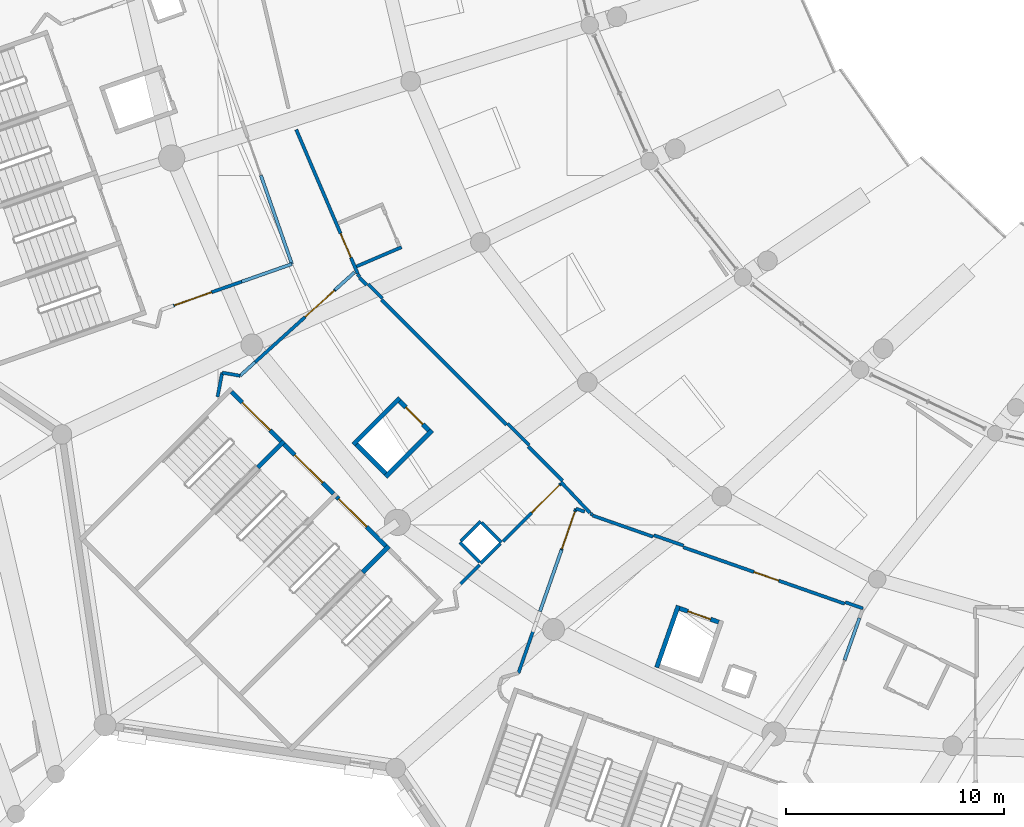
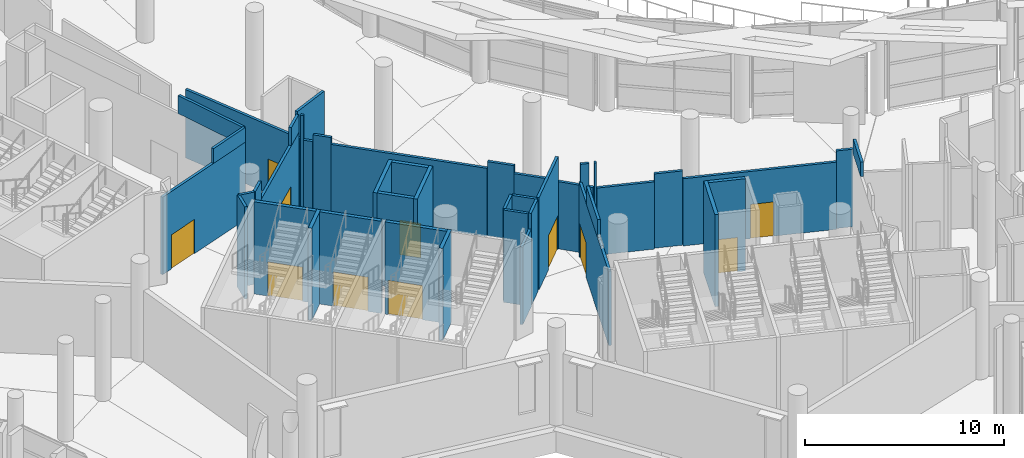
# One storey, part 139 of 249: 43 walls, 11 doors, 11 openings.
"""IFC4 building model written with IfcOpenShell, lengths in metres."""

from ifc_helpers import new_model, si_unit, direction, frame, frame_2d, origin, place, context, subcontext, project, spatial, rectangle, extrude, material, layer, layer_set, type_object, element, fill, save


model = new_model("IFC4")

# Units and contexts
model_context = context("Model", 3, precision=1e-05, world=origin(), true_north=direction((0.0, 1.0)))
body_context = subcontext(model_context, "Body", "Model", "MODEL_VIEW")
ifc_project = project(units=[si_unit("LENGTHUNIT", "METRE"), si_unit("AREAUNIT", "SQUARE_METRE"), si_unit("VOLUMEUNIT", "CUBIC_METRE"), si_unit("PLANEANGLEUNIT", "RADIAN"), si_unit("MASSUNIT", "GRAM", prefix="KILO")], contexts=[model_context])

# Site, building, storey
site_placement = place(None, origin())
site = spatial("IfcSite", under=ifc_project, at=site_placement, CompositionType="ELEMENT")
building_placement = place(site_placement, origin())
building = spatial("IfcBuilding", under=site, at=building_placement, Name="Meseta Stadium", CompositionType="ELEMENT")
storey_placement = place(building_placement, frame((0.0, 0.0, 12.0)))
storey = spatial("IfcBuildingStorey", under=building, at=storey_placement, Name="L02", CompositionType="ELEMENT", Elevation=12.0)

# Walls
ifc_material_1 = material(Name="Concrete C40/50", Category="concrete")
ifc_layer_1 = layer(ifc_material_1, 0.199951171875)
ifc_layer_set_1 = layer_set([ifc_layer_1], Name="Core divider wall 200")
wall_type_1 = type_object("IfcWallType", Name="Core divider wall 200", PredefinedType="SHEAR", material=ifc_layer_set_1)
for number, where, z_axis, x_axis, name in (
    (1, (-78.17333984375, -77.364990234375, 0.0), (0.0, 0.0, 1.0), (0.707178586901, 0.707034968179, 0.0), "Core 21 L02 stair A divider wall"),
    (2, (-73.364990234375, -82.17333984375, 0.0), (0.0, 0.0, 1.0), (0.707034968179, 0.707178586901, 0.0), "Core 21 L02 stair B divider wall"),
):
    element("IfcWall", number, at=place(storey_placement, frame(where, z_axis=z_axis, x_axis=x_axis)), inside=storey, type_object=wall_type_1, Name=name, PredefinedType="SHEAR", context=body_context, shape_type="SweptSolid", body=[
        extrude(rectangle(XDim=1.699951171875, YDim=0.199951171875, at=frame_2d((0.85009765625, 0.0))), origin(), (0.0, 0.0, 1.0), 5.64990234375),
    ])

# Wall, opening, door
ifc_material_2 = material(Name="Concrete C40/50", Category="concrete")
ifc_layer_2 = layer(ifc_material_2, 0.199951171875)
ifc_layer_set_2 = layer_set([ifc_layer_2], Name="Core shaft wall 200")
wall_type_2 = type_object("IfcWallType", Name="Core shaft wall 200", PredefinedType="SHEAR", material=ifc_layer_set_2)
wall_1_placement = place(storey_placement, frame((-79.37548828125, -73.900146484375, 0.0), z_axis=(0.0, 0.0, 1.0), x_axis=(0.707068634461, -0.707144925854, 0.0)))
wall_1 = element("IfcWall", 3, at=wall_1_placement, inside=storey, type_object=wall_type_2, Name="Core 21 L02 stair A1 inner end wall", PredefinedType="SHEAR", context=body_context, shape_type="SweptSolid", body=[
    extrude(rectangle(XDim=3.2001953125, YDim=0.199951171875, at=frame_2d((1.60009765625, 0.0))), origin(), (0.0, 0.0, 1.0), 5.64990234375),
])
opening_1_placement = place(wall_1_placement, frame((0.699951171875, 0.0, 0.0)))
opening_1 = element("IfcOpeningElement", 4, at=opening_1_placement, cuts=wall_1, Name="Opening D1042", PredefinedType="OPENING", context=body_context, shape_type="SweptSolid", body=[
    extrude(rectangle(XDim=1.800048828125, YDim=2.10009765625, at=frame_2d((0.89990234375, 1.050048828125))), frame((0.0, 0.10986328125, 0.0), z_axis=(0.0, -1.0, 0.0), x_axis=(1.0, 0.0, 0.0)), (0.0, 0.0, 1.0), 0.219970703125),
])
ifc_material_3 = material(Name="Steel", Category="steel")
door_type_1 = type_object("IfcDoorType", Name="Stair door 1800x2100", OperationType="DOUBLE_DOOR_SINGLE_SWING", PredefinedType="DOOR", material=ifc_material_3)
door_1_placement = place(opening_1_placement, origin())
door_1 = element("IfcDoor", 5, at=door_1_placement, inside=storey, type_object=door_type_1, Name="Stair A1 door 21 L02", OperationType="DOUBLE_DOOR_SINGLE_SWING", OverallHeight=2.10009765625, OverallWidth=1.800048828125, PredefinedType="DOOR", context=body_context, shape_type="SweptSolid", body=[
    extrude(rectangle(XDim=1.800048828125, YDim=2.10009765625, at=frame_2d((0.89990234375, 1.050048828125))), frame((0.0, 0.02490234375, 0.0), z_axis=(0.0, -1.0, 0.0), x_axis=(1.0, 0.0, 0.0)), (0.0, 0.0, 1.0), 0.050048828125),
])
fill(opening_1, door_1)

wall_2_placement = place(storey_placement, frame((-76.97119140625, -76.304443359375, 0.0), z_axis=(0.0, 0.0, 1.0), x_axis=(0.707106781187, -0.707106781187, 0.0)))
wall_2 = element("IfcWall", 6, at=wall_2_placement, inside=storey, type_object=wall_type_2, Name="Core 21 L02 stair A2 inner end wall", PredefinedType="SHEAR", context=body_context, shape_type="SweptSolid", body=[
    extrude(rectangle(XDim=3.199951171875, YDim=0.199951171875, at=frame_2d((1.60009765625, 0.0))), origin(), (0.0, 0.0, 1.0), 5.64990234375),
])
opening_2_placement = place(wall_2_placement, frame((0.699951171875, 0.0, 0.0)))
opening_2 = element("IfcOpeningElement", 7, at=opening_2_placement, cuts=wall_2, Name="Opening D1050", PredefinedType="OPENING", context=body_context, shape_type="SweptSolid", body=[
    extrude(rectangle(XDim=1.800048828125, YDim=2.10009765625, at=frame_2d((0.89990234375, 1.050048828125))), frame((0.0, 0.10986328125, 0.0), z_axis=(0.0, -1.0, 0.0), x_axis=(1.0, 0.0, 0.0)), (0.0, 0.0, 1.0), 0.219970703125),
])
door_2_placement = place(opening_2_placement, origin())
door_2 = element("IfcDoor", 8, at=door_2_placement, inside=storey, type_object=door_type_1, Name="Stair A2 door 21 L02", OperationType="DOUBLE_DOOR_SINGLE_SWING", OverallHeight=2.10009765625, OverallWidth=1.800048828125, PredefinedType="DOOR", context=body_context, shape_type="SweptSolid", body=[
    extrude(rectangle(XDim=1.800048828125, YDim=2.10009765625, at=frame_2d((0.89990234375, 1.050048828125))), frame((0.0, 0.02490234375, 0.0), z_axis=(0.0, -1.0, 0.0), x_axis=(1.0, 0.0, 0.0)), (0.0, 0.0, 1.0), 0.050048828125),
])
fill(opening_2, door_2)

wall_3_placement = place(storey_placement, frame((-74.567138671875, -78.70849609375, 0.0), z_axis=(0.0, 0.0, 1.0), x_axis=(0.707106781187, -0.707106781187, 0.0)))
wall_3 = element("IfcWall", 9, at=wall_3_placement, inside=storey, type_object=wall_type_2, Name="Core 21 L02 stair B1 inner end wall", PredefinedType="SHEAR", context=body_context, shape_type="SweptSolid", body=[
    extrude(rectangle(XDim=3.199951171875, YDim=0.199951171875, at=frame_2d((1.60009765625, 0.0))), origin(), (0.0, 0.0, 1.0), 5.64990234375),
])
opening_3_placement = place(wall_3_placement, frame((0.14990234375, 0.0, 0.0)))
opening_3 = element("IfcOpeningElement", 10, at=opening_3_placement, cuts=wall_3, Name="Opening D1055", PredefinedType="OPENING", context=body_context, shape_type="SweptSolid", body=[
    extrude(rectangle(XDim=1.800048828125, YDim=2.10009765625, at=frame_2d((0.89990234375, 1.050048828125))), frame((0.0, 0.10986328125, 0.0), z_axis=(0.0, -1.0, 0.0), x_axis=(1.0, 0.0, 0.0)), (0.0, 0.0, 1.0), 0.219970703125),
])
door_3_placement = place(opening_3_placement, origin())
door_3 = element("IfcDoor", 11, at=door_3_placement, inside=storey, type_object=door_type_1, Name="Stair B1 door 21 L02", OperationType="DOUBLE_DOOR_SINGLE_SWING", OverallHeight=2.10009765625, OverallWidth=1.800048828125, PredefinedType="DOOR", context=body_context, shape_type="SweptSolid", body=[
    extrude(rectangle(XDim=1.800048828125, YDim=2.10009765625, at=frame_2d((0.89990234375, 1.050048828125))), frame((0.0, 0.02490234375, 0.0), z_axis=(0.0, -1.0, 0.0), x_axis=(1.0, 0.0, 0.0)), (0.0, 0.0, 1.0), 0.050048828125),
])
fill(opening_3, door_3)

# Walls
for number, where, z_axis, x_axis, name in (
    (12, (-73.796875, -76.311767578125, 0.0), (0.0, 0.0, 1.0), (0.707106781187, 0.707106781187, 0.0), "Core 21 L02 lift shaft wall left"),
    (13, (-72.311767578125, -77.796875, 0.0), (0.0, 0.0, 1.0), (0.707106781187, 0.707106781187, 0.0), "Core 21 L02 lift shaft wall right"),
):
    element("IfcWall", number, at=place(storey_placement, frame(where, z_axis=z_axis, x_axis=x_axis)), inside=storey, type_object=wall_type_2, Name=name, PredefinedType="SHEAR", context=body_context, shape_type="SweptSolid", body=[
        extrude(rectangle(XDim=3.0, YDim=0.199951171875, at=frame_2d((1.5, 0.0))), origin(), (0.0, 0.0, 1.0), 5.64990234375),
    ])
wall_4_placement = place(storey_placement, frame((-73.655517578125, -76.311767578125, 0.0), z_axis=(0.0, 0.0, 1.0), x_axis=(0.707106781187, -0.707106781187, 0.0)))
element("IfcWall", 14, at=wall_4_placement, inside=storey, type_object=wall_type_2, Name="Core 21 L02 lift shaft back wall", PredefinedType="SHEAR", context=body_context, shape_type="SweptSolid", body=[
    extrude(rectangle(XDim=1.900390625, YDim=0.199951171875, at=frame_2d((0.9501953125, 0.0))), origin(), (0.0, 0.0, 1.0), 5.64990234375),
])

# Wall, opening, door
wall_5_placement = place(storey_placement, frame((-71.675537109375, -74.331787109375, 0.0), z_axis=(0.0, 0.0, 1.0), x_axis=(0.707106781187, -0.707106781187, 0.0)))
wall_5 = element("IfcWall", 15, at=wall_5_placement, inside=storey, type_object=wall_type_2, Name="Core 21 L02 lift shaft front wall", PredefinedType="SHEAR", context=body_context, shape_type="SweptSolid", body=[
    extrude(rectangle(XDim=1.900390625, YDim=0.199951171875, at=frame_2d((0.9501953125, 0.0))), origin(), (0.0, 0.0, 1.0), 5.64990234375),
])
opening_4_placement = place(wall_5_placement, frame((0.39990234375, 0.0, 0.0)))
opening_4 = element("IfcOpeningElement", 16, at=opening_4_placement, cuts=wall_5, Name="Opening LD118", PredefinedType="OPENING", context=body_context, shape_type="SweptSolid", body=[
    extrude(rectangle(XDim=1.10009765625, YDim=2.10009765625, at=frame_2d((0.550048828125, 1.050048828125))), frame((0.0, 0.10986328125, 0.0), z_axis=(0.0, -1.0, 0.0), x_axis=(1.0, 0.0, 0.0)), (0.0, 0.0, 1.0), 0.219970703125),
])
ifc_material_4 = material(Name="Steel", Category="steel")
door_type_2 = type_object("IfcDoorType", Name="Lift landing door 1100x2100", OperationType="SLIDING_TO_LEFT", PredefinedType="DOOR", material=ifc_material_4)
door_4_placement = place(opening_4_placement, origin())
door_4 = element("IfcDoor", 17, at=door_4_placement, inside=storey, type_object=door_type_2, Name="Lift landing door LD118", OperationType="SLIDING_TO_RIGHT", OverallHeight=2.10009765625, OverallWidth=1.10009765625, PredefinedType="DOOR", context=body_context, shape_type="SweptSolid", body=[
    extrude(rectangle(XDim=1.10009765625, YDim=2.10009765625, at=frame_2d((0.550048828125, 1.050048828125))), frame((0.0, 0.02490234375, 0.0), z_axis=(0.0, -1.0, 0.0), x_axis=(1.0, 0.0, 0.0)), (0.0, 0.0, 1.0), 0.050048828125),
])
fill(opening_4, door_4)

# Wall
wall_6_placement = place(storey_placement, frame((-59.896240234375, -86.53369140625, 0.0), z_axis=(0.0, 0.0, 1.0), x_axis=(0.330328674497, 0.943865968666, 0.0)))
element("IfcWall", 18, at=wall_6_placement, inside=storey, type_object=wall_type_2, Name="Core 22 L02 lift shaft wall left", PredefinedType="SHEAR", context=body_context, shape_type="SweptSolid", body=[
    extrude(rectangle(XDim=3.0, YDim=0.199951171875, at=frame_2d((1.5, 0.0))), origin(), (0.0, 0.0, 1.0), 5.64990234375),
])

# Wall, opening, door
wall_7_placement = place(storey_placement, frame((-58.843994140625, -83.82958984375, 0.0), z_axis=(0.0, 0.0, 1.0), x_axis=(0.943902418729, -0.330224505327, 0.0)))
wall_7 = element("IfcWall", 19, at=wall_7_placement, inside=storey, type_object=wall_type_2, Name="Core 22 L02 lift shaft front wall", PredefinedType="SHEAR", context=body_context, shape_type="SweptSolid", body=[
    extrude(rectangle(XDim=1.900146484375, YDim=0.199951171875, at=frame_2d((0.9501953125, 0.0))), origin(), (0.0, 0.0, 1.0), 5.64990234375),
])
opening_5_placement = place(wall_7_placement, frame((0.39990234375, 0.0, 0.0)))
opening_5 = element("IfcOpeningElement", 20, at=opening_5_placement, cuts=wall_7, Name="Opening LD123", PredefinedType="OPENING", context=body_context, shape_type="SweptSolid", body=[
    extrude(rectangle(XDim=1.10009765625, YDim=2.10009765625, at=frame_2d((0.550048828125, 1.050048828125))), frame((0.0, 0.10986328125, 0.0), z_axis=(0.0, -1.0, 0.0), x_axis=(1.0, 0.0, 0.0)), (0.0, 0.0, 1.0), 0.219970703125),
])
door_5_placement = place(opening_5_placement, origin())
door_5 = element("IfcDoor", 21, at=door_5_placement, inside=storey, type_object=door_type_2, Name="Lift landing door LD123", OperationType="SLIDING_TO_LEFT", OverallHeight=2.10009765625, OverallWidth=1.10009765625, PredefinedType="DOOR", context=body_context, shape_type="SweptSolid", body=[
    extrude(rectangle(XDim=1.10009765625, YDim=2.10009765625, at=frame_2d((0.550048828125, 1.050048828125))), frame((0.0, 0.02490234375, 0.0), z_axis=(0.0, -1.0, 0.0), x_axis=(1.0, 0.0, 0.0)), (0.0, 0.0, 1.0), 0.050048828125),
])
fill(opening_5, door_5)

# Walls
ifc_material_5 = material(Name="Masonry blockwork", Category="masonry")
ifc_layer_3 = layer(ifc_material_5, 0.14990234375)
ifc_layer_set_3 = layer_set([ifc_layer_3], Name="Partition 150")
wall_type_3 = type_object("IfcWallType", Name="Partition 150", PredefinedType="PARTITIONING", material=ifc_layer_set_3)
wall_8_placement = place(storey_placement, frame((-66.77880859375, -75.410400390625, 0.0), z_axis=(0.0, 0.0, 1.0), x_axis=(-0.707091708943, 0.707121853109, 0.0)))
element("IfcWall", 22, at=wall_8_placement, inside=storey, type_object=wall_type_3, Name="Partition L02 L02-cell19-0-0", PredefinedType="PARTITIONING", context=body_context, shape_type="SweptSolid", body=[
    extrude(rectangle(XDim=8.09912109375, YDim=0.14990234375, at=frame_2d((4.049560546875, 0.0))), origin(), (0.0, 0.0, 1.0), 4.18701171875),
])
wall_9_placement = place(storey_placement, frame((-73.179443359375, -69.009521484375, 0.0), z_axis=(0.0, 0.0, 1.0), x_axis=(-0.707106781187, 0.707106781187, 0.0)))
element("IfcWall", 23, at=wall_9_placement, inside=storey, type_object=wall_type_3, Name="Partition L02 L02-cell19-0-0", PredefinedType="PARTITIONING", context=body_context, shape_type="SweptSolid", body=[
    extrude(rectangle(XDim=0.4765625, YDim=0.14990234375, at=frame_2d((0.23828125, 0.0))), origin(), (0.0, 0.0, 1.0), 4.18701171875),
])

# Wall, opening, door
wall_10_placement = place(storey_placement, frame((-73.595458984375, -68.487548828125, 0.0), z_axis=(0.0, 0.0, 1.0), x_axis=(-0.392716080943, 0.919659763047, 0.0)))
wall_10 = element("IfcWall", 24, at=wall_10_placement, inside=storey, type_object=wall_type_3, Name="Partition L02 L02-cell19-0-0", PredefinedType="PARTITIONING", context=body_context, shape_type="SweptSolid", body=[
    extrude(rectangle(XDim=7.17724609375, YDim=0.14990234375, at=frame_2d((3.588623046875, 0.0))), origin(), (0.0, 0.0, 1.0), 4.18701171875),
])
opening_6_placement = place(wall_10_placement, frame((0.800048828125, 0.0, 0.0)))
opening_6 = element("IfcOpeningElement", 25, at=opening_6_placement, cuts=wall_10, Name="Opening D1054", PredefinedType="OPENING", context=body_context, shape_type="SweptSolid", body=[
    extrude(rectangle(XDim=1.199951171875, YDim=2.10009765625, at=frame_2d((0.60009765625, 1.050048828125))), frame((0.0, 0.0849609375, 0.0), z_axis=(0.0, -1.0, 0.0), x_axis=(1.0, 0.0, 0.0)), (0.0, 0.0, 1.0), 0.169921875),
])
ifc_material_6 = material(Name="Steel", Category="steel")
door_type_3 = type_object("IfcDoorType", Name="Fire door 1200x2100 EI2 60", OperationType="NOTDEFINED", PredefinedType="DOOR", material=ifc_material_6)
door_6_placement = place(opening_6_placement, origin())
door_6 = element("IfcDoor", 26, at=door_6_placement, inside=storey, type_object=door_type_3, Name="Room door L02 L02-cell19-0-0", OperationType="SINGLE_SWING_LEFT", OverallHeight=2.10009765625, OverallWidth=1.199951171875, PredefinedType="DOOR", context=body_context, shape_type="SweptSolid", body=[
    extrude(rectangle(XDim=1.199951171875, YDim=2.10009765625, at=frame_2d((0.60009765625, 1.050048828125))), frame((0.0, 0.02490234375, 0.0), z_axis=(0.0, -1.0, 0.0), x_axis=(1.0, 0.0, 0.0)), (0.0, 0.0, 1.0), 0.050048828125),
])
fill(opening_6, door_6)

wall_11_placement = place(storey_placement, frame((-51.2841796875, -83.614501953125, 0.0), z_axis=(0.0, 0.0, 1.0), x_axis=(-0.943878277554, 0.330293501543, 0.0)))
wall_11 = element("IfcWall", 27, at=wall_11_placement, inside=storey, type_object=wall_type_3, Name="Partition L02 L02-cell20-0-0", PredefinedType="PARTITIONING", context=body_context, shape_type="SweptSolid", body=[
    extrude(rectangle(XDim=7.8330078125, YDim=0.14990234375, at=frame_2d((3.91650390625, 0.0))), origin(), (0.0, 0.0, 1.0), 4.118408203125),
])
opening_7_placement = place(wall_11_placement, frame((3.199951171875, 0.0, 0.0)))
opening_7 = element("IfcOpeningElement", 28, at=opening_7_placement, cuts=wall_11, Name="Opening D1078", PredefinedType="OPENING", context=body_context, shape_type="SweptSolid", body=[
    extrude(rectangle(XDim=1.199951171875, YDim=2.10009765625, at=frame_2d((0.60009765625, 1.050048828125))), frame((0.0, 0.0849609375, 0.0), z_axis=(0.0, -1.0, 0.0), x_axis=(1.0, 0.0, 0.0)), (0.0, 0.0, 1.0), 0.169921875),
])
door_7_placement = place(opening_7_placement, origin())
door_7 = element("IfcDoor", 29, at=door_7_placement, inside=storey, type_object=door_type_3, Name="Room door L02 L02-cell20-0-0", OperationType="SINGLE_SWING_LEFT", OverallHeight=2.10009765625, OverallWidth=1.199951171875, PredefinedType="DOOR", context=body_context, shape_type="SweptSolid", body=[
    extrude(rectangle(XDim=1.199951171875, YDim=2.10009765625, at=frame_2d((0.60009765625, 1.050048828125))), frame((0.0, 0.02490234375, 0.0), z_axis=(0.0, -1.0, 0.0), x_axis=(1.0, 0.0, 0.0)), (0.0, 0.0, 1.0), 0.050048828125),
])
fill(opening_7, door_7)

# Walls
wall_12_placement = place(storey_placement, frame((-60.06396484375, -80.542236328125, 0.0), z_axis=(0.0, 0.0, 1.0), x_axis=(-0.943873905003, 0.330305996696, 0.0)))
element("IfcWall", 30, at=wall_12_placement, inside=storey, type_object=wall_type_3, Name="Partition L02 L02-cell20-0-0", PredefinedType="PARTITIONING", context=body_context, shape_type="SweptSolid", body=[
    extrude(rectangle(XDim=2.937255859375, YDim=0.14990234375, at=frame_2d((1.46875, 0.0))), origin(), (0.0, 0.0, 1.0), 4.118408203125),
])
wall_13_placement = place(storey_placement, frame((-62.948486328125, -79.453369140625, 0.0), z_axis=(0.0, 0.0, 1.0), x_axis=(-0.686461196607, 0.727166435937, 0.0)))
element("IfcWall", 31, at=wall_13_placement, inside=storey, type_object=wall_type_3, Name="Partition L02 L02-cell20-0-0", PredefinedType="PARTITIONING", context=body_context, shape_type="SweptSolid", body=[
    extrude(rectangle(XDim=1.943359375, YDim=0.14990234375, at=frame_2d((0.9716796875, 0.0))), origin(), (0.0, 0.0, 1.0), 4.118408203125),
])
wall_14_placement = place(storey_placement, frame((-64.215576171875, -77.973388671875, 0.0), z_axis=(0.0, 0.0, 1.0), x_axis=(-0.707161957089, 0.707051600978, 0.0)))
element("IfcWall", 32, at=wall_14_placement, inside=storey, type_object=wall_type_3, Name="Partition L02 L02-cell20-0-0", PredefinedType="PARTITIONING", context=body_context, shape_type="SweptSolid", body=[
    extrude(rectangle(XDim=2.21240234375, YDim=0.14990234375, at=frame_2d((1.106201171875, 0.0))), origin(), (0.0, 0.0, 1.0), 4.118408203125),
])

# Wall, opening, door
wall_15_placement = place(storey_placement, frame((-82.605224609375, -70.154052734375, 0.0), z_axis=(0.0, 0.0, 1.0), x_axis=(0.943452018302, 0.331509108716, 0.0)))
wall_15 = element("IfcWall", 33, at=wall_15_placement, inside=storey, type_object=wall_type_3, Name="Stair vestibule wall L02 core 20", PredefinedType="PARTITIONING", context=body_context, shape_type="SweptSolid", body=[
    extrude(rectangle(XDim=6.3525390625, YDim=0.14990234375, at=frame_2d((3.17626953125, 0.0))), origin(), (0.0, 0.0, 1.0), 4.75),
])
opening_8_placement = place(wall_15_placement, frame((0.64990234375, 0.0, 0.0)))
opening_8 = element("IfcOpeningElement", 34, at=opening_8_placement, cuts=wall_15, Name="Opening D1032", PredefinedType="OPENING", context=body_context, shape_type="SweptSolid", body=[
    extrude(rectangle(XDim=1.800048828125, YDim=2.10009765625, at=frame_2d((0.89990234375, 1.050048828125))), frame((0.0, 0.0849609375, 0.0), z_axis=(0.0, -1.0, 0.0), x_axis=(1.0, 0.0, 0.0)), (0.0, 0.0, 1.0), 0.169921875),
])
ifc_material_7 = material(Name="Steel", Category="steel")
door_type_4 = type_object("IfcDoorType", Name="Fire double door 1800x2100 EI2 60", OperationType="DOUBLE_DOOR_SINGLE_SWING", PredefinedType="DOOR", material=ifc_material_7)
door_8_placement = place(opening_8_placement, origin())
door_8 = element("IfcDoor", 35, at=door_8_placement, inside=storey, type_object=door_type_4, Name="Stair vestibule door L02 core 20", OperationType="DOUBLE_DOOR_SINGLE_SWING", OverallHeight=2.10009765625, OverallWidth=1.800048828125, PredefinedType="DOOR", context=body_context, shape_type="SweptSolid", body=[
    extrude(rectangle(XDim=1.800048828125, YDim=2.10009765625, at=frame_2d((0.89990234375, 1.050048828125))), frame((0.0, 0.02490234375, 0.0), z_axis=(0.0, -1.0, 0.0), x_axis=(1.0, 0.0, 0.0)), (0.0, 0.0, 1.0), 0.050048828125),
])
fill(opening_8, door_8)

# Walls
wall_16_placement = place(storey_placement, frame((-78.9169921875, -68.858154296875, 4.75), z_axis=(0.0, 0.0, 1.0), x_axis=(0.943443246904, 0.331534070454, 0.0)))
element("IfcWall", 36, at=wall_16_placement, inside=storey, type_object=wall_type_3, Name="Stair vestibule wall L02 core 20", PredefinedType="PARTITIONING", context=body_context, shape_type="SweptSolid", body=[
    extrude(rectangle(XDim=2.443359375, YDim=0.14990234375, at=frame_2d((1.2216796875, 0.0))), origin(), (0.0, 0.0, 1.0), 0.89990234375),
])
wall_17_placement = place(storey_placement, frame((-76.61181640625, -68.048095703125, 4.550048828125), z_axis=(0.0, 0.0, 1.0), x_axis=(-0.330279608941, 0.94388313891, 0.0)))
element("IfcWall", 37, at=wall_17_placement, inside=storey, type_object=wall_type_3, Name="Stair vestibule wall L02 core 20", PredefinedType="PARTITIONING", context=body_context, shape_type="SweptSolid", body=[
    extrude(rectangle(XDim=4.2998046875, YDim=0.14990234375, at=frame_2d((2.14990234375, 0.0))), origin(), (0.0, 0.0, 1.0), 1.099853515625),
])
for number, where, z_axis, x_axis, name in (
    (38, (-68.917724609375, -80.802001953125, 0.0), (0.0, 0.0, 1.0), (0.707106781187, -0.707106781187, 0.0), "Pressurisation shaft wall L02 core 21"),
    (39, (-67.963134765625, -81.756591796875, 0.0), (0.0, 0.0, 1.0), (0.707106781187, 0.707106781187, 0.0), "Pressurisation shaft wall L02 core 21"),
    (40, (-67.008544921875, -80.802001953125, 0.0), (0.0, 0.0, 1.0), (-0.707106781187, 0.707106781187, 0.0), "Pressurisation shaft wall L02 core 21"),
):
    element("IfcWall", number, at=place(storey_placement, frame(where, z_axis=z_axis, x_axis=x_axis)), inside=storey, type_object=wall_type_3, Name=name, PredefinedType="PARTITIONING", context=body_context, shape_type="SweptSolid", body=[
        extrude(rectangle(XDim=1.275146484375, YDim=0.14990234375, at=frame_2d((0.6376953125, 0.0))), origin(), (0.0, 0.0, 1.0), 5.64990234375),
    ])
wall_18_placement = place(storey_placement, frame((-67.963134765625, -79.847412109375, 0.0), z_axis=(0.0, 0.0, 1.0), x_axis=(-0.707202523759, -0.707011025648, 0.0)))
element("IfcWall", 41, at=wall_18_placement, inside=storey, type_object=wall_type_3, Name="Pressurisation shaft wall L02 core 21", PredefinedType="PARTITIONING", context=body_context, shape_type="SweptSolid", body=[
    extrude(rectangle(XDim=1.27490234375, YDim=0.14990234375, at=frame_2d((0.637451171875, 0.0))), origin(), (0.0, 0.0, 1.0), 5.64990234375),
])
wall_19_placement = place(storey_placement, frame((-69.16796875, -82.98974609375, 0.0), z_axis=(0.0, 0.0, 1.0), x_axis=(0.707106781187, 0.707106781187, 0.0)))
element("IfcWall", 42, at=wall_19_placement, inside=storey, type_object=wall_type_3, Name="Stair vestibule wall L02 core 21", PredefinedType="PARTITIONING", context=body_context, shape_type="SweptSolid", body=[
    extrude(rectangle(XDim=1.64306640625, YDim=0.14990234375, at=frame_2d((0.821533203125, 0.0))), origin(), (0.0, 0.0, 1.0), 4.75),
])

# Wall, opening, door
wall_20_placement = place(storey_placement, frame((-66.934326171875, -80.756103515625, 0.0), z_axis=(0.0, 0.0, 1.0), x_axis=(0.707073957383, 0.707139603466, 0.0)))
wall_20 = element("IfcWall", 43, at=wall_20_placement, inside=storey, type_object=wall_type_3, Name="Stair vestibule wall L02 core 21", PredefinedType="PARTITIONING", context=body_context, shape_type="SweptSolid", body=[
    extrude(rectangle(XDim=3.718994140625, YDim=0.14990234375, at=frame_2d((1.859375, 0.0))), origin(), (0.0, 0.0, 1.0), 5.64990234375),
])
opening_9_placement = place(wall_20_placement, frame((1.85009765625, 0.0, 0.0)))
opening_9 = element("IfcOpeningElement", 44, at=opening_9_placement, cuts=wall_20, Name="Opening D1065", PredefinedType="OPENING", context=body_context, shape_type="SweptSolid", body=[
    extrude(rectangle(XDim=1.800048828125, YDim=2.10009765625, at=frame_2d((0.89990234375, 1.050048828125))), frame((0.0, 0.0849609375, 0.0), z_axis=(0.0, -1.0, 0.0), x_axis=(1.0, 0.0, 0.0)), (0.0, 0.0, 1.0), 0.169921875),
])
door_9_placement = place(opening_9_placement, origin())
door_9 = element("IfcDoor", 45, at=door_9_placement, inside=storey, type_object=door_type_4, Name="Stair vestibule door L02 core 21", OperationType="DOUBLE_DOOR_SINGLE_SWING", OverallHeight=2.10009765625, OverallWidth=1.800048828125, PredefinedType="DOOR", context=body_context, shape_type="SweptSolid", body=[
    extrude(rectangle(XDim=1.800048828125, YDim=2.10009765625, at=frame_2d((0.89990234375, 1.050048828125))), frame((0.0, 0.02490234375, 0.0), z_axis=(0.0, -1.0, 0.0), x_axis=(1.0, 0.0, 0.0)), (0.0, 0.0, 1.0), 0.050048828125),
])
fill(opening_9, door_9)

# Walls
wall_21_placement = place(storey_placement, frame((-65.73388671875, -76.34912109375, 0.0), z_axis=(0.0, 0.0, 1.0), x_axis=(-0.707106781187, 0.707106781187, 0.0)))
element("IfcWall", 46, at=wall_21_placement, inside=storey, type_object=wall_type_3, Name="Stair vestibule wall L02 core 21", PredefinedType="PARTITIONING", context=body_context, shape_type="SweptSolid", body=[
    extrude(rectangle(XDim=1.392578125, YDim=0.14990234375, at=frame_2d((0.6962890625, 0.0))), origin(), (0.0, 0.0, 1.0), 4.550048828125),
])
wall_22_placement = place(storey_placement, frame((-72.459716796875, -69.623291015625, 0.0), z_axis=(0.0, 0.0, 1.0), x_axis=(-0.707106781187, 0.707106781187, 0.0)))
element("IfcWall", 47, at=wall_22_placement, inside=storey, type_object=wall_type_3, Name="Stair vestibule wall L02 core 21", PredefinedType="PARTITIONING", context=body_context, shape_type="SweptSolid", body=[
    extrude(rectangle(XDim=0.932861328125, YDim=0.14990234375, at=frame_2d((0.46630859375, 0.0))), origin(), (0.0, 0.0, 1.0), 4.550048828125),
])
wall_23_placement = place(storey_placement, frame((-73.49169921875, -68.6337890625, 0.0), z_axis=(0.0, 0.0, 1.0), x_axis=(-0.706331870343, 0.707880843743, 0.0)))
element("IfcWall", 48, at=wall_23_placement, inside=storey, type_object=wall_type_3, Name="Stair vestibule wall L02 core 21", PredefinedType="PARTITIONING", context=body_context, shape_type="SweptSolid", body=[
    extrude(rectangle(XDim=0.15771484375, YDim=0.14990234375, at=frame_2d((0.078857421875, 0.0))), origin(), (0.0, 0.0, 1.0), 5.64990234375),
])

# Wall, opening, door
wall_24_placement = place(storey_placement, frame((-73.742431640625, -68.427001953125, 0.0), z_axis=(0.0, 0.0, 1.0), x_axis=(-0.741827757785, -0.670590469496, 0.0)))
wall_24 = element("IfcWall", 49, at=wall_24_placement, inside=storey, type_object=wall_type_3, Name="Stair vestibule wall L02 core 21", PredefinedType="PARTITIONING", context=body_context, shape_type="SweptSolid", body=[
    extrude(rectangle(XDim=7.0703125, YDim=0.14990234375, at=frame_2d((3.53515625, 0.0))), origin(), (0.0, 0.0, 1.0), 4.550048828125),
])
opening_10_placement = place(wall_24_placement, frame((1.25, 0.0, 0.0)))
opening_10 = element("IfcOpeningElement", 50, at=opening_10_placement, cuts=wall_24, Name="Opening D1052", PredefinedType="OPENING", context=body_context, shape_type="SweptSolid", body=[
    extrude(rectangle(XDim=1.800048828125, YDim=2.10009765625, at=frame_2d((0.89990234375, 1.050048828125))), frame((0.0, 0.0849609375, 0.0), z_axis=(0.0, -1.0, 0.0), x_axis=(1.0, 0.0, 0.0)), (0.0, 0.0, 1.0), 0.169921875),
])
door_10_placement = place(opening_10_placement, origin())
door_10 = element("IfcDoor", 51, at=door_10_placement, inside=storey, type_object=door_type_4, Name="Stair vestibule door L02 core 21", OperationType="DOUBLE_DOOR_SINGLE_SWING", OverallHeight=2.10009765625, OverallWidth=1.800048828125, PredefinedType="DOOR", context=body_context, shape_type="SweptSolid", body=[
    extrude(rectangle(XDim=1.800048828125, YDim=2.10009765625, at=frame_2d((0.89990234375, 1.050048828125))), frame((0.0, 0.02490234375, 0.0), z_axis=(0.0, -1.0, 0.0), x_axis=(1.0, 0.0, 0.0)), (0.0, 0.0, 1.0), 0.050048828125),
])
fill(opening_10, door_10)

# Walls
wall_25_placement = place(storey_placement, frame((-73.742431640625, -68.427001953125, 4.550048828125), z_axis=(0.0, 0.0, 1.0), x_axis=(-0.741906759341, -0.670503065201, 0.0)))
element("IfcWall", 52, at=wall_25_placement, inside=storey, type_object=wall_type_3, Name="Stair vestibule wall L02 core 21", PredefinedType="PARTITIONING", context=body_context, shape_type="SweptSolid", body=[
    extrude(rectangle(XDim=1.2001953125, YDim=0.14990234375, at=frame_2d((0.60009765625, 0.0))), origin(), (0.0, 0.0, 1.0), 1.099853515625),
])
wall_26_placement = place(storey_placement, frame((-78.287841796875, -72.5361328125, 4.550048828125), z_axis=(0.0, 0.0, 1.0), x_axis=(-0.741940562606, -0.670465660239, 0.0)))
element("IfcWall", 53, at=wall_26_placement, inside=storey, type_object=wall_type_3, Name="Stair vestibule wall L02 core 21", PredefinedType="PARTITIONING", context=body_context, shape_type="SweptSolid", body=[
    extrude(rectangle(XDim=0.942626953125, YDim=0.14990234375, at=frame_2d((0.47119140625, 0.0))), origin(), (0.0, 0.0, 1.0), 1.099853515625),
])
wall_27_placement = place(storey_placement, frame((-78.9873046875, -73.168212890625, 0.0), z_axis=(0.0, 0.0, 1.0), x_axis=(-0.985252654039, 0.171105837743, 0.0)))
element("IfcWall", 54, at=wall_27_placement, inside=storey, type_object=wall_type_3, Name="Stair vestibule wall L02 core 21", PredefinedType="PARTITIONING", context=body_context, shape_type="SweptSolid", body=[
    extrude(rectangle(XDim=0.831787109375, YDim=0.14990234375, at=frame_2d((0.416015625, 0.0))), origin(), (0.0, 0.0, 1.0), 5.64990234375),
])
wall_28_placement = place(storey_placement, frame((-79.806884765625, -73.02587890625, 0.0), z_axis=(0.0, 0.0, 1.0), x_axis=(-0.187490142289, -0.982266484486, 0.0)))
element("IfcWall", 55, at=wall_28_placement, inside=storey, type_object=wall_type_3, Name="Stair vestibule wall L02 core 21", PredefinedType="PARTITIONING", context=body_context, shape_type="SweptSolid", body=[
    extrude(rectangle(XDim=1.127685546875, YDim=0.14990234375, at=frame_2d((0.56396484375, 0.0))), origin(), (0.0, 0.0, 1.0), 5.64990234375),
])
wall_29_placement = place(storey_placement, frame((-50.447021484375, -83.827880859375, 0.0), z_axis=(0.0, 0.0, 1.0), x_axis=(-0.943871777737, 0.330312075456, 0.0)))
element("IfcWall", 56, at=wall_29_placement, inside=storey, type_object=wall_type_3, Name="Stair vestibule wall L02 core 22", PredefinedType="PARTITIONING", context=body_context, shape_type="SweptSolid", body=[
    extrude(rectangle(XDim=0.850830078125, YDim=0.14990234375, at=frame_2d((0.42529296875, 0.0))), origin(), (0.0, 0.0, 1.0), 4.75),
])
wall_30_placement = place(storey_placement, frame((-58.662353515625, -80.953125, 0.0), z_axis=(0.0, 0.0, 1.0), x_axis=(-0.943876745654, 0.330297879215, 0.0)))
element("IfcWall", 57, at=wall_30_placement, inside=storey, type_object=wall_type_3, Name="Stair vestibule wall L02 core 22", PredefinedType="PARTITIONING", context=body_context, shape_type="SweptSolid", body=[
    extrude(rectangle(XDim=1.44873046875, YDim=0.14990234375, at=frame_2d((0.724365234375, 0.0))), origin(), (0.0, 0.0, 1.0), 4.550048828125),
])
wall_31_placement = place(storey_placement, frame((-62.8310546875, -79.526123046875, 0.0), z_axis=(0.0, 0.0, 1.0), x_axis=(-0.944168192904, 0.329463842489, 0.0)))
element("IfcWall", 58, at=wall_31_placement, inside=storey, type_object=wall_type_3, Name="Stair vestibule wall L02 core 22", PredefinedType="PARTITIONING", context=body_context, shape_type="SweptSolid", body=[
    extrude(rectangle(XDim=0.1103515625, YDim=0.14990234375, at=frame_2d((0.05517578125, 0.0))), origin(), (0.0, 0.0, 1.0), 5.64990234375),
])
wall_32_placement = place(storey_placement, frame((-63.1953125, -79.398681640625, 0.0), z_axis=(0.0, 0.0, 1.0), x_axis=(-0.9439211129, 0.330171065694, 0.0)))
element("IfcWall", 59, at=wall_32_placement, inside=storey, type_object=wall_type_3, Name="Stair vestibule wall L02 core 22", PredefinedType="PARTITIONING", context=body_context, shape_type="SweptSolid", body=[
    extrude(rectangle(XDim=0.42431640625, YDim=0.14990234375, at=frame_2d((0.212158203125, 0.0))), origin(), (0.0, 0.0, 1.0), 5.64990234375),
])

# Wall, opening, door
wall_33_placement = place(storey_placement, frame((-63.595947265625, -79.258544921875, 0.0), z_axis=(0.0, 0.0, 1.0), x_axis=(-0.330252316135, -0.94389268865, 0.0)))
wall_33 = element("IfcWall", 60, at=wall_33_placement, inside=storey, type_object=wall_type_3, Name="Stair vestibule wall L02 core 22", PredefinedType="PARTITIONING", context=body_context, shape_type="SweptSolid", body=[
    extrude(rectangle(XDim=7.98095703125, YDim=0.14990234375, at=frame_2d((3.990478515625, 0.0))), origin(), (0.0, 0.0, 1.0), 4.550048828125),
])
opening_11_placement = place(wall_33_placement, frame((0.14990234375, 0.0, 0.0)))
opening_11 = element("IfcOpeningElement", 61, at=opening_11_placement, cuts=wall_33, Name="Opening D1067", PredefinedType="OPENING", context=body_context, shape_type="SweptSolid", body=[
    extrude(rectangle(XDim=1.800048828125, YDim=2.10009765625, at=frame_2d((0.89990234375, 1.050048828125))), frame((0.0, 0.0849609375, 0.0), z_axis=(0.0, -1.0, 0.0), x_axis=(1.0, 0.0, 0.0)), (0.0, 0.0, 1.0), 0.169921875),
])
door_11_placement = place(opening_11_placement, origin())
door_11 = element("IfcDoor", 62, at=door_11_placement, inside=storey, type_object=door_type_4, Name="Stair vestibule door L02 core 22", OperationType="DOUBLE_DOOR_SINGLE_SWING", OverallHeight=2.10009765625, OverallWidth=1.800048828125, PredefinedType="DOOR", context=body_context, shape_type="SweptSolid", body=[
    extrude(rectangle(XDim=1.800048828125, YDim=2.10009765625, at=frame_2d((0.89990234375, 1.050048828125))), frame((0.0, 0.02490234375, 0.0), z_axis=(0.0, -1.0, 0.0), x_axis=(1.0, 0.0, 0.0)), (0.0, 0.0, 1.0), 0.050048828125),
])
fill(opening_11, door_11)

# Walls
wall_34_placement = place(storey_placement, frame((-64.256591796875, -81.146484375, 4.550048828125), z_axis=(0.0, 0.0, 1.0), x_axis=(-0.330263074179, -0.943888924521, 0.0)))
element("IfcWall", 63, at=wall_34_placement, inside=storey, type_object=wall_type_3, Name="Stair vestibule wall L02 core 22", PredefinedType="PARTITIONING", context=body_context, shape_type="SweptSolid", body=[
    extrude(rectangle(XDim=2.988037109375, YDim=0.14990234375, at=frame_2d((1.494140625, 0.0))), origin(), (0.0, 0.0, 1.0), 1.099853515625),
])
wall_35_placement = place(storey_placement, frame((-73.654052734375, -68.1591796875, 0.0), z_axis=(0.0, 0.0, 1.0), x_axis=(0.919638165537, 0.392766653993, 0.0)))
element("IfcWall", 64, at=wall_35_placement, inside=storey, type_object=wall_type_3, Name="Partition L02 L02-cell19-0-0 vestibule", PredefinedType="PARTITIONING", context=body_context, shape_type="SweptSolid", body=[
    extrude(rectangle(XDim=2.250244140625, YDim=0.14990234375, at=frame_2d((1.125, 0.0))), origin(), (0.0, 0.0, 1.0), 5.64990234375),
])
wall_36_placement = place(storey_placement, frame((-51.28515625, -86.195068359375, 4.75), z_axis=(0.0, 0.0, 1.0), x_axis=(0.333802831012, 0.942642917551, 0.0)))
element("IfcWall", 65, at=wall_36_placement, inside=storey, type_object=wall_type_3, Name="Stair vestibule wall L02 core 22", PredefinedType="PARTITIONING", context=body_context, shape_type="SweptSolid", body=[
    extrude(rectangle(XDim=2.039794921875, YDim=0.14990234375, at=frame_2d((1.02001953125, 0.0))), origin(), (0.0, 0.0, 1.0), 0.89990234375),
])

save(model, "model.ifc")
